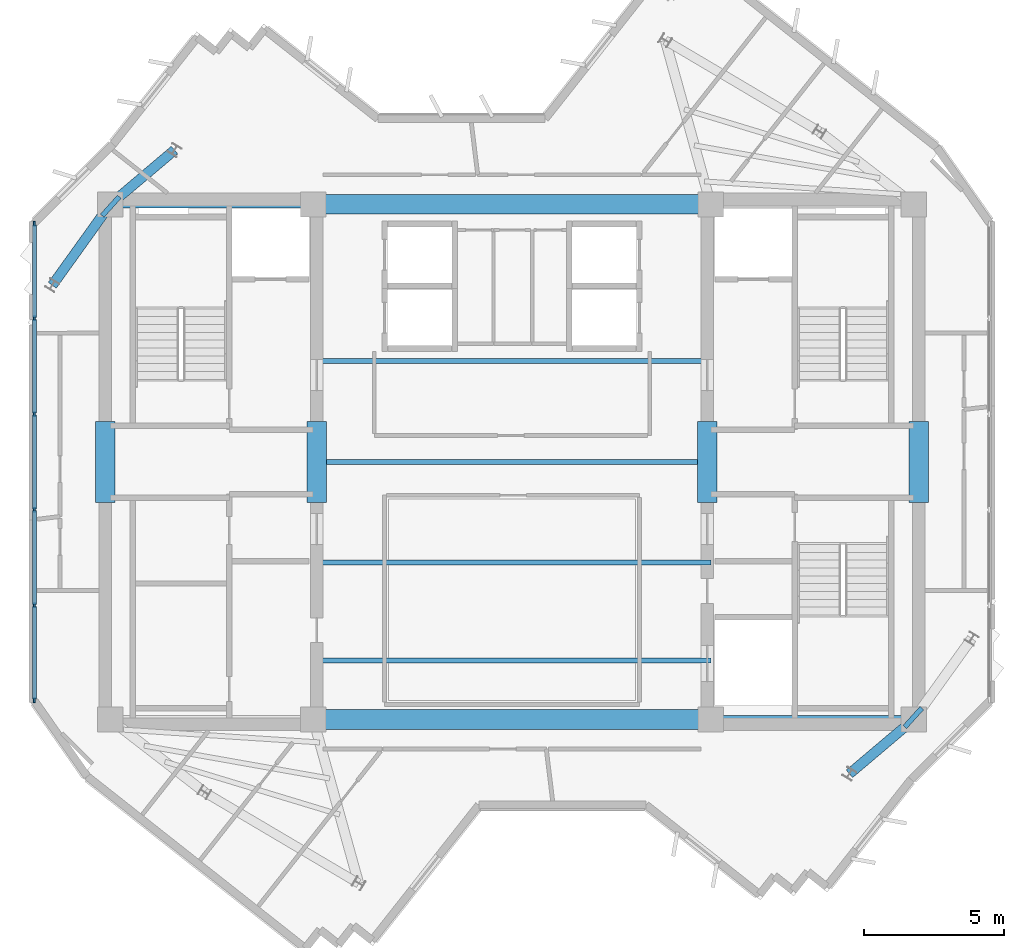
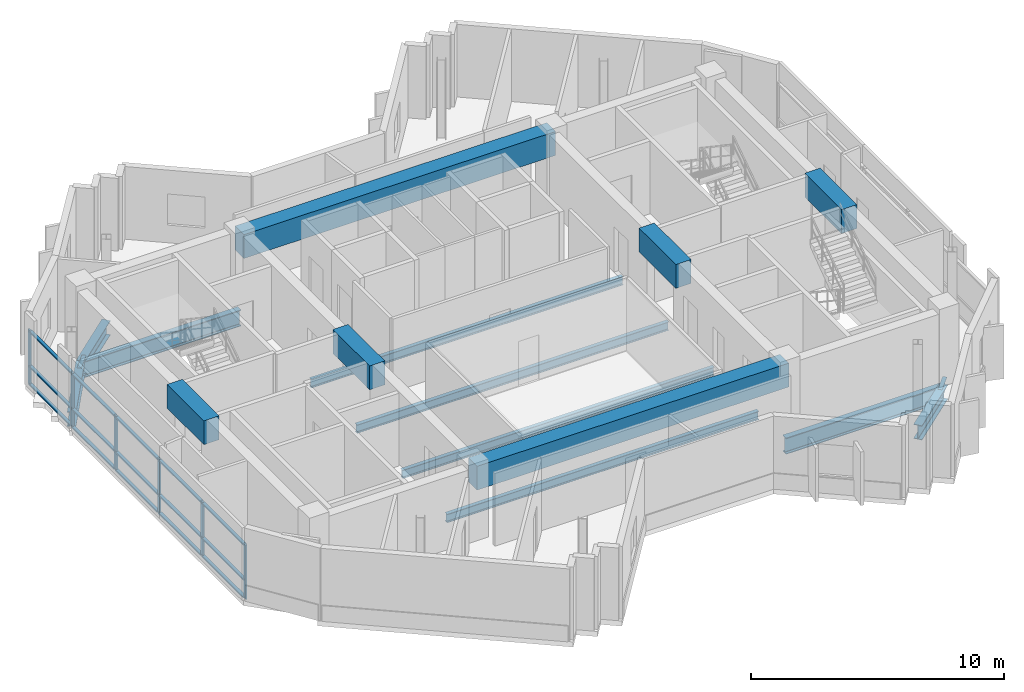
# One storey, part 2 of 10: 21 members, 17 beams, 1 element without a shape of its own.
"""IFC4 building model written with IfcOpenShell, lengths in metres."""

from ifc_helpers import new_model, si_unit, direction, frame, origin, origin_2d, place, context, subcontext, project, spatial, rectangle, i_section, extrude, source, transform, mapped, material, layer, layer_set, material_profile, profile_set, type_object, element, aggregate, save


model = new_model("IFC4")

# Units and contexts
model_context = context("Model", 3, precision=1e-05, world=origin(), true_north=direction((0.0, 1.0)))
body_context = subcontext(model_context, "Body", "Model", "MODEL_VIEW")
ifc_project = project(units=[si_unit("LENGTHUNIT", "METRE"), si_unit("AREAUNIT", "SQUARE_METRE"), si_unit("VOLUMEUNIT", "CUBIC_METRE"), si_unit("PLANEANGLEUNIT", "RADIAN"), si_unit("MASSUNIT", "GRAM", prefix="KILO")], contexts=[model_context])

# Site, building, storey
site_placement = place(None, origin())
site = spatial("IfcSite", under=ifc_project, at=site_placement, CompositionType="ELEMENT")
building_placement = place(site_placement, origin())
building = spatial("IfcBuilding", under=site, at=building_placement, Name="Zahravan Cultural Tower", CompositionType="ELEMENT")
storey_placement = place(building_placement, frame((0.0, 0.0, 327.300048828125)))
storey = spatial("IfcBuildingStorey", under=building, at=storey_placement, Name="L79", CompositionType="ELEMENT", Elevation=327.300048828125)

# Beams
ifc_material_1 = material(Name="Concrete C50/60", Category="concrete")
ifc_material_profile_1 = material_profile(ifc_material_1, rectangle(XDim=0.699951171875, YDim=1.14990234375, at=origin_2d()), Name="RC700X1150")
ifc_profile_set_1 = profile_set([ifc_material_profile_1], Name="Concrete C50/60")
beam_type_1 = type_object("IfcBeamType", Name="BM-LN-RC700X1150", PredefinedType="LINTEL", material=ifc_profile_set_1)
shared_shape_1 = source(origin(), body_context, "Body", "SweptSolid", [
    extrude(rectangle(XDim=0.699951171875, YDim=1.14990234375, at=origin_2d()), origin(), (0.0, 0.0, 1.0), 14.2001953125),
])
for number, where, z_axis, x_axis, name in (
    (1, (28.89990234375, 17.800048828125, 2.925048828125), (1.0, 0.0, 0.0), (0.0, 1.0, 0.0), "L79 Beam LN-L79-S"),
    (2, (28.89990234375, 36.199951171875, 2.925048828125), (1.0, 0.0, 0.0), (0.0, 1.0, 0.0), "L79 Beam LN-L79-N"),
):
    element("IfcBeam", number, at=place(storey_placement, frame(where, z_axis=z_axis, x_axis=x_axis)), inside=storey, type_object=beam_type_1, Name=name, PredefinedType="LINTEL", context=body_context, shape_type="MappedRepresentation", body=[
        mapped(shared_shape_1, transform((0.0, 0.0, 0.0), x_axis=(1.0, 0.0, 0.0), y_axis=(0.0, 1.0, 0.0), z_axis=(0.0, 0.0, 1.0), scale=1.0)),
    ])
shared_shape_2 = source(origin(), body_context, "Body", "SweptSolid", [
    extrude(rectangle(XDim=0.699951171875, YDim=1.14990234375, at=origin_2d()), origin(), (0.0, 0.0, 1.0), 2.89990234375),
])
for number, where, z_axis, x_axis, name in (
    (3, (21.47509765625, 25.550048828125, 2.925048828125), (0.0, 1.0, 0.0), (-1.0, 0.0, 0.0), "L79 Beam LN-L79-PWW"),
    (4, (29.02490234375, 25.550048828125, 2.925048828125), (0.0, 1.0, 0.0), (-1.0, 0.0, 0.0), "L79 Beam LN-L79-PWE"),
    (5, (42.97509765625, 25.550048828125, 2.925048828125), (0.0, 1.0, 0.0), (-1.0, 0.0, 0.0), "L79 Beam LN-L79-PEW"),
    (6, (50.52490234375, 25.550048828125, 2.925048828125), (0.0, 1.0, 0.0), (-1.0, 0.0, 0.0), "L79 Beam LN-L79-PEE"),
):
    element("IfcBeam", number, at=place(storey_placement, frame(where, z_axis=z_axis, x_axis=x_axis)), inside=storey, type_object=beam_type_1, Name=name, PredefinedType="LINTEL", context=body_context, shape_type="MappedRepresentation", body=[
        mapped(shared_shape_2, transform((0.0, 0.0, 0.0), x_axis=(1.0, 0.0, 0.0), y_axis=(0.0, 1.0, 0.0), z_axis=(0.0, 0.0, 1.0), scale=1.0)),
    ])
ifc_material_2 = material(Name="Steel ASTM A992 Grade 50", Category="steel")
ifc_material_profile_2 = material_profile(ifc_material_2, i_section(OverallWidth=0.26611328125, OverallDepth=0.780029296875, WebThickness=0.0166015625, FlangeThickness=0.030029296875, FilletRadius=0.01904296875, at=origin_2d()), Name="W30X148")
ifc_profile_set_2 = profile_set([ifc_material_profile_2], Name="Steel ASTM A992 Grade 50")
beam_type_2 = type_object("IfcBeamType", Name="BM-G-W30X148", PredefinedType="BEAM", material=ifc_profile_set_2)
shared_shape_3 = source(origin(), body_context, "Body", "SweptSolid", [
    extrude(i_section(OverallWidth=0.26611328125, OverallDepth=0.780029296875, WebThickness=0.0166015625, FlangeThickness=0.030029296875, FilletRadius=0.01904296875, at=origin_2d()), origin(), (0.0, 0.0, 1.0), 7.25),
])
for number, where, z_axis, x_axis, name in (
    (7, (21.64990234375, 36.199951171875, -0.64013671875), (1.0, 0.0, 0.0), (0.0, 1.0, 0.0), "L79 Beam BG-L79-02"),
    (8, (43.10009765625, 17.800048828125, -0.64013671875), (1.0, 0.0, 0.0), (0.0, 1.0, 0.0), "L79 Beam BG-L79-04"),
):
    element("IfcBeam", number, at=place(storey_placement, frame(where, z_axis=z_axis, x_axis=x_axis)), inside=storey, type_object=beam_type_2, Name=name, PredefinedType="BEAM", context=body_context, shape_type="MappedRepresentation", body=[
        mapped(shared_shape_3, transform((0.0, 0.0, 0.0), x_axis=(1.0, 0.0, 0.0), y_axis=(0.0, 1.0, 0.0), z_axis=(0.0, 0.0, 1.0), scale=1.0)),
    ])
ifc_material_profile_3 = material_profile(ifc_material_2, i_section(OverallWidth=0.35498046875, OverallDepth=0.696044921875, WebThickness=0.015380859375, FlangeThickness=0.025146484375, FilletRadius=0.01806640625, at=origin_2d()), Name="W27X146")
ifc_profile_set_3 = profile_set([ifc_material_profile_3], Name="Steel ASTM A992 Grade 50")
beam_type_3 = type_object("IfcBeamType", Name="BM-G-W27X146", PredefinedType="BEAM", material=ifc_profile_set_3)
shared_shape_4 = source(origin(), body_context, "Body", "SweptSolid", [
    extrude(i_section(OverallWidth=0.35498046875, OverallDepth=0.696044921875, WebThickness=0.015380859375, FlangeThickness=0.025146484375, FilletRadius=0.01806640625, at=origin_2d()), origin(), (0.0, 0.0, 1.0), 3.00537109375),
])
for number, where, z_axis, x_axis, name in (
    (9, (50.35009765625, 17.800048828125, -0.59814453125), (-0.763546494847, -0.645752855361, 0.0), (0.645752855361, -0.763546494847, 0.0), "L79 Beam BG-L79-09"),
    (10, (21.64990234375, 36.199951171875, -0.59814453125), (0.763546494847, 0.645752855361, 0.0), (-0.645752855361, 0.763546494847, 0.0), "L79 Beam BG-L79-13"),
):
    element("IfcBeam", number, at=place(storey_placement, frame(where, z_axis=z_axis, x_axis=x_axis)), inside=storey, type_object=beam_type_3, Name=name, PredefinedType="BEAM", context=body_context, shape_type="MappedRepresentation", body=[
        mapped(shared_shape_4, transform((0.0, 0.0, 0.0), x_axis=(1.0, 0.0, 0.0), y_axis=(0.0, 1.0, 0.0), z_axis=(0.0, 0.0, 1.0), scale=1.0)),
    ])
shared_shape_5 = source(origin(), body_context, "Body", "SweptSolid", [
    extrude(i_section(OverallWidth=0.35498046875, OverallDepth=0.696044921875, WebThickness=0.015380859375, FlangeThickness=0.025146484375, FilletRadius=0.01806640625, at=origin_2d()), origin(), (0.0, 0.0, 1.0), 3.5556640625),
])
beam_placement = place(storey_placement, frame((21.64990234375, 36.199951171875, -0.59814453125), z_axis=(-0.58288028137, -0.812558045674, 0.0), x_axis=(0.812558045674, -0.58288028137, 0.0)))
element("IfcBeam", 11, at=beam_placement, inside=storey, type_object=beam_type_3, Name="L79 Beam BG-L79-14", PredefinedType="BEAM", context=body_context, shape_type="MappedRepresentation", body=[
    mapped(shared_shape_5, transform((0.0, 0.0, 0.0), x_axis=(1.0, 0.0, 0.0), y_axis=(0.0, 1.0, 0.0), z_axis=(0.0, 0.0, 1.0), scale=1.0)),
])
ifc_material_profile_4 = material_profile(ifc_material_2, i_section(OverallWidth=0.177978515625, OverallDepth=0.406005859375, WebThickness=0.0078125, FlangeThickness=0.0126953125, FilletRadius=0.011962890625, at=origin_2d()), Name="W16X40")
ifc_profile_set_4 = profile_set([ifc_material_profile_4], Name="Steel ASTM A992 Grade 50")
beam_type_4 = type_object("IfcBeamType", Name="BM-J-W16X40", PredefinedType="JOIST", material=ifc_profile_set_4)
shared_shape_6 = source(origin(), body_context, "Body", "SweptSolid", [
    extrude(i_section(OverallWidth=0.177978515625, OverallDepth=0.406005859375, WebThickness=0.0078125, FlangeThickness=0.0126953125, FilletRadius=0.011962890625, at=origin_2d()), origin(), (0.0, 0.0, 1.0), 14.2001953125),
])
for number, where, z_axis, x_axis, name in (
    (12, (28.89990234375, 19.89990234375, -0.453125), (1.0, 0.0, 0.0), (0.0, 1.0, 0.0), "L79 Beam BJ-L79-20"),
    (13, (28.89990234375, 23.39990234375, -0.453125), (1.0, 0.0, 0.0), (0.0, 1.0, 0.0), "L79 Beam BJ-L79-21"),
    (14, (28.89990234375, 27.0, -0.453125), (1.0, 0.0, 0.0), (0.0, 1.0, 0.0), "L79 Beam BJ-L79-22"),
    (15, (28.89990234375, 30.60009765625, -0.453125), (1.0, 0.0, 0.0), (0.0, 1.0, 0.0), "L79 Beam BJ-L79-23"),
):
    element("IfcBeam", number, at=place(storey_placement, frame(where, z_axis=z_axis, x_axis=x_axis)), inside=storey, type_object=beam_type_4, Name=name, PredefinedType="JOIST", context=body_context, shape_type="MappedRepresentation", body=[
        mapped(shared_shape_6, transform((0.0, 0.0, 0.0), x_axis=(1.0, 0.0, 0.0), y_axis=(0.0, 1.0, 0.0), z_axis=(0.0, 0.0, 1.0), scale=1.0)),
    ])
shared_shape_7 = source(origin(), body_context, "Body", "SweptSolid", [
    extrude(i_section(OverallWidth=0.177978515625, OverallDepth=0.406005859375, WebThickness=0.0078125, FlangeThickness=0.0126953125, FilletRadius=0.011962890625, at=origin_2d()), origin(), (0.0, 0.0, 1.0), 0.91162109375),
])
for number, where, z_axis, x_axis, name in (
    (16, (50.02880859375, 17.5283203125, -0.453125), (0.670590689022, 0.741827559341, 0.0), (-0.741827559341, 0.670590689022, 0.0), "L79 Beam BJ-L79-32"),
    (17, (21.97119140625, 36.4716796875, -0.453125), (-0.670590689022, -0.741827559341, 0.0), (0.741827559341, -0.670590689022, 0.0), "L79 Beam BJ-L79-48"),
):
    element("IfcBeam", number, at=place(storey_placement, frame(where, z_axis=z_axis, x_axis=x_axis)), inside=storey, type_object=beam_type_4, Name=name, PredefinedType="JOIST", context=body_context, shape_type="MappedRepresentation", body=[
        mapped(shared_shape_7, transform((0.0, 0.0, 0.0), x_axis=(1.0, 0.0, 0.0), y_axis=(0.0, 1.0, 0.0), z_axis=(0.0, 0.0, 1.0), scale=1.0)),
    ])

# Curtain wall, members
ifc_material_3 = material(Name="Anodised bronze-aluminium mullion", Category="aluminium")
ifc_layer = layer(ifc_material_3, 0.179931640625)
ifc_layer_set = layer_set([ifc_layer], Name="Anodised bronze-aluminium mullion")
curtain_wall_type = type_object("IfcCurtainWallType", Name="CW-SYS-3", PredefinedType="USERDEFINED", material=ifc_layer_set)
curtain_wall_placement = place(storey_placement, origin())
curtain_wall = element("IfcCurtainWall", 18, at=curtain_wall_placement, inside=storey, type_object=curtain_wall_type, Name="L79 Recessed Curtain Wall CW-3.2", ObjectType="RECESSED GLAZING", PredefinedType="USERDEFINED")
ifc_material_profile_5 = material_profile(ifc_material_3, rectangle(XDim=0.070068359375, YDim=0.179931640625, at=origin_2d()), Name="AL-M70X180")
ifc_profile_set_5 = profile_set([ifc_material_profile_5], Name="Anodised bronze-aluminium mullion")
member_type_1 = type_object("IfcMemberType", Name="CWM-CW-3", PredefinedType="MULLION", material=ifc_profile_set_5)
shared_shape_8 = source(origin(), body_context, "Body", "SweptSolid", [
    extrude(rectangle(XDim=0.070068359375, YDim=0.179931640625, at=origin_2d()), origin(), (0.0, 0.0, 1.0), 2.619873046875),
])
member_1_placement = place(storey_placement, frame((18.93994140625, 18.492919921875, 0.0), z_axis=(0.0, 0.0, 1.0), x_axis=(-1.0, 0.0, 0.0)))
member_1 = element("IfcMember", 19, at=member_1_placement, type_object=member_type_1, Name="CW-3 mullion 1", PredefinedType="MULLION", context=body_context, shape_type="MappedRepresentation", body=[
    mapped(shared_shape_8, transform((0.0, 0.0, 0.0), x_axis=(1.0, 0.0, 0.0), y_axis=(0.0, 1.0, 0.0), z_axis=(0.0, 0.0, 1.0), scale=1.0)),
])
member_2_placement = place(storey_placement, frame((18.93994140625, 21.874755859375, 0.0), z_axis=(0.0, 0.0, 1.0), x_axis=(-1.0, 0.0, 0.0)))
member_2 = element("IfcMember", 20, at=member_2_placement, type_object=member_type_1, Name="CW-3 mullion 2", PredefinedType="MULLION", context=body_context, shape_type="MappedRepresentation", body=[
    mapped(shared_shape_8, transform((0.0, 0.0, 0.0), x_axis=(1.0, 0.0, 0.0), y_axis=(0.0, 1.0, 0.0), z_axis=(0.0, 0.0, 1.0), scale=1.0)),
])
member_3_placement = place(storey_placement, frame((18.93994140625, 25.29150390625, 0.0), z_axis=(0.0, 0.0, 1.0), x_axis=(-1.0, 0.0, 0.0)))
member_3 = element("IfcMember", 21, at=member_3_placement, type_object=member_type_1, Name="CW-3 mullion 3", PredefinedType="MULLION", context=body_context, shape_type="MappedRepresentation", body=[
    mapped(shared_shape_8, transform((0.0, 0.0, 0.0), x_axis=(1.0, 0.0, 0.0), y_axis=(0.0, 1.0, 0.0), z_axis=(0.0, 0.0, 1.0), scale=1.0)),
])
member_4_placement = place(storey_placement, frame((18.93994140625, 28.70849609375, 0.0), z_axis=(0.0, 0.0, 1.0), x_axis=(-1.0, 0.0, 0.0)))
member_4 = element("IfcMember", 22, at=member_4_placement, type_object=member_type_1, Name="CW-3 mullion 4", PredefinedType="MULLION", context=body_context, shape_type="MappedRepresentation", body=[
    mapped(shared_shape_8, transform((0.0, 0.0, 0.0), x_axis=(1.0, 0.0, 0.0), y_axis=(0.0, 1.0, 0.0), z_axis=(0.0, 0.0, 1.0), scale=1.0)),
])
member_5_placement = place(storey_placement, frame((18.93994140625, 32.125244140625, 0.0), z_axis=(0.0, 0.0, 1.0), x_axis=(-1.0, 0.0, 0.0)))
member_5 = element("IfcMember", 23, at=member_5_placement, type_object=member_type_1, Name="CW-3 mullion 5", PredefinedType="MULLION", context=body_context, shape_type="MappedRepresentation", body=[
    mapped(shared_shape_8, transform((0.0, 0.0, 0.0), x_axis=(1.0, 0.0, 0.0), y_axis=(0.0, 1.0, 0.0), z_axis=(0.0, 0.0, 1.0), scale=1.0)),
])
member_6_placement = place(storey_placement, frame((18.93994140625, 35.507080078125, 0.0), z_axis=(0.0, 0.0, 1.0), x_axis=(-1.0, 0.0, 0.0)))
member_6 = element("IfcMember", 24, at=member_6_placement, type_object=member_type_1, Name="CW-3 mullion 6", PredefinedType="MULLION", context=body_context, shape_type="MappedRepresentation", body=[
    mapped(shared_shape_8, transform((0.0, 0.0, 0.0), x_axis=(1.0, 0.0, 0.0), y_axis=(0.0, 1.0, 0.0), z_axis=(0.0, 0.0, 1.0), scale=1.0)),
])
ifc_material_profile_6 = material_profile(ifc_material_3, rectangle(XDim=0.139892578125, YDim=0.070068359375, at=origin_2d()), Name="AL-T70X140")
ifc_profile_set_6 = profile_set([ifc_material_profile_6], Name="Anodised bronze-aluminium mullion")
member_type_2 = type_object("IfcMemberType", Name="CWT-CW-3", PredefinedType="USERDEFINED", material=ifc_profile_set_6)
shared_shape_9 = source(origin(), body_context, "Body", "SweptSolid", [
    extrude(rectangle(XDim=0.139892578125, YDim=0.070068359375, at=origin_2d()), origin(), (0.0, 0.0, 1.0), 3.311767578125),
])
member_7_placement = place(storey_placement, frame((18.93994140625, 18.528076171875, 0.034912109375), z_axis=(0.0, 1.0, 0.0), x_axis=(-1.0, 0.0, 0.0)))
member_7 = element("IfcMember", 25, at=member_7_placement, type_object=member_type_2, Name="CW-3 transom 1.1", ObjectType="TRANSOM", PredefinedType="USERDEFINED", context=body_context, shape_type="MappedRepresentation", body=[
    mapped(shared_shape_9, transform((0.0, 0.0, 0.0), x_axis=(1.0, 0.0, 0.0), y_axis=(0.0, 1.0, 0.0), z_axis=(0.0, 0.0, 1.0), scale=1.0)),
])
member_8_placement = place(storey_placement, frame((18.93994140625, 18.528076171875, 0.89990234375), z_axis=(0.0, 1.0, 0.0), x_axis=(-1.0, 0.0, 0.0)))
member_8 = element("IfcMember", 26, at=member_8_placement, type_object=member_type_2, Name="CW-3 transom 1.2", ObjectType="TRANSOM", PredefinedType="USERDEFINED", context=body_context, shape_type="MappedRepresentation", body=[
    mapped(shared_shape_9, transform((0.0, 0.0, 0.0), x_axis=(1.0, 0.0, 0.0), y_axis=(0.0, 1.0, 0.0), z_axis=(0.0, 0.0, 1.0), scale=1.0)),
])
member_9_placement = place(storey_placement, frame((18.93994140625, 18.528076171875, 2.5849609375), z_axis=(0.0, 1.0, 0.0), x_axis=(-1.0, 0.0, 0.0)))
member_9 = element("IfcMember", 27, at=member_9_placement, type_object=member_type_2, Name="CW-3 transom 1.3", ObjectType="TRANSOM", PredefinedType="USERDEFINED", context=body_context, shape_type="MappedRepresentation", body=[
    mapped(shared_shape_9, transform((0.0, 0.0, 0.0), x_axis=(1.0, 0.0, 0.0), y_axis=(0.0, 1.0, 0.0), z_axis=(0.0, 0.0, 1.0), scale=1.0)),
])
member_10_placement = place(storey_placement, frame((18.93994140625, 32.16015625, 0.034912109375), z_axis=(0.0, 1.0, 0.0), x_axis=(-1.0, 0.0, 0.0)))
member_10 = element("IfcMember", 28, at=member_10_placement, type_object=member_type_2, Name="CW-3 transom 5.1", ObjectType="TRANSOM", PredefinedType="USERDEFINED", context=body_context, shape_type="MappedRepresentation", body=[
    mapped(shared_shape_9, transform((0.0, 0.0, 0.0), x_axis=(1.0, 0.0, 0.0), y_axis=(0.0, 1.0, 0.0), z_axis=(0.0, 0.0, 1.0), scale=1.0)),
])
member_11_placement = place(storey_placement, frame((18.93994140625, 32.16015625, 0.89990234375), z_axis=(0.0, 1.0, 0.0), x_axis=(-1.0, 0.0, 0.0)))
member_11 = element("IfcMember", 29, at=member_11_placement, type_object=member_type_2, Name="CW-3 transom 5.2", ObjectType="TRANSOM", PredefinedType="USERDEFINED", context=body_context, shape_type="MappedRepresentation", body=[
    mapped(shared_shape_9, transform((0.0, 0.0, 0.0), x_axis=(1.0, 0.0, 0.0), y_axis=(0.0, 1.0, 0.0), z_axis=(0.0, 0.0, 1.0), scale=1.0)),
])
member_12_placement = place(storey_placement, frame((18.93994140625, 32.16015625, 2.5849609375), z_axis=(0.0, 1.0, 0.0), x_axis=(-1.0, 0.0, 0.0)))
member_12 = element("IfcMember", 30, at=member_12_placement, type_object=member_type_2, Name="CW-3 transom 5.3", ObjectType="TRANSOM", PredefinedType="USERDEFINED", context=body_context, shape_type="MappedRepresentation", body=[
    mapped(shared_shape_9, transform((0.0, 0.0, 0.0), x_axis=(1.0, 0.0, 0.0), y_axis=(0.0, 1.0, 0.0), z_axis=(0.0, 0.0, 1.0), scale=1.0)),
])
shared_shape_10 = source(origin(), body_context, "Body", "SweptSolid", [
    extrude(rectangle(XDim=0.139892578125, YDim=0.070068359375, at=origin_2d()), origin(), (0.0, 0.0, 1.0), 3.3466796875),
])
member_13_placement = place(storey_placement, frame((18.93994140625, 21.909912109375, 0.034912109375), z_axis=(0.0, 1.0, 0.0), x_axis=(-1.0, 0.0, 0.0)))
member_13 = element("IfcMember", 31, at=member_13_placement, type_object=member_type_2, Name="CW-3 transom 2.1", ObjectType="TRANSOM", PredefinedType="USERDEFINED", context=body_context, shape_type="MappedRepresentation", body=[
    mapped(shared_shape_10, transform((0.0, 0.0, 0.0), x_axis=(1.0, 0.0, 0.0), y_axis=(0.0, 1.0, 0.0), z_axis=(0.0, 0.0, 1.0), scale=1.0)),
])
member_14_placement = place(storey_placement, frame((18.93994140625, 21.909912109375, 0.89990234375), z_axis=(0.0, 1.0, 0.0), x_axis=(-1.0, 0.0, 0.0)))
member_14 = element("IfcMember", 32, at=member_14_placement, type_object=member_type_2, Name="CW-3 transom 2.2", ObjectType="TRANSOM", PredefinedType="USERDEFINED", context=body_context, shape_type="MappedRepresentation", body=[
    mapped(shared_shape_10, transform((0.0, 0.0, 0.0), x_axis=(1.0, 0.0, 0.0), y_axis=(0.0, 1.0, 0.0), z_axis=(0.0, 0.0, 1.0), scale=1.0)),
])
member_15_placement = place(storey_placement, frame((18.93994140625, 21.909912109375, 2.5849609375), z_axis=(0.0, 1.0, 0.0), x_axis=(-1.0, 0.0, 0.0)))
member_15 = element("IfcMember", 33, at=member_15_placement, type_object=member_type_2, Name="CW-3 transom 2.3", ObjectType="TRANSOM", PredefinedType="USERDEFINED", context=body_context, shape_type="MappedRepresentation", body=[
    mapped(shared_shape_10, transform((0.0, 0.0, 0.0), x_axis=(1.0, 0.0, 0.0), y_axis=(0.0, 1.0, 0.0), z_axis=(0.0, 0.0, 1.0), scale=1.0)),
])
member_16_placement = place(storey_placement, frame((18.93994140625, 25.32666015625, 0.034912109375), z_axis=(0.0, 1.0, 0.0), x_axis=(-1.0, 0.0, 0.0)))
member_16 = element("IfcMember", 34, at=member_16_placement, type_object=member_type_2, Name="CW-3 transom 3.1", ObjectType="TRANSOM", PredefinedType="USERDEFINED", context=body_context, shape_type="MappedRepresentation", body=[
    mapped(shared_shape_10, transform((0.0, 0.0, 0.0), x_axis=(1.0, 0.0, 0.0), y_axis=(0.0, 1.0, 0.0), z_axis=(0.0, 0.0, 1.0), scale=1.0)),
])
member_17_placement = place(storey_placement, frame((18.93994140625, 25.32666015625, 0.89990234375), z_axis=(0.0, 1.0, 0.0), x_axis=(-1.0, 0.0, 0.0)))
member_17 = element("IfcMember", 35, at=member_17_placement, type_object=member_type_2, Name="CW-3 transom 3.2", ObjectType="TRANSOM", PredefinedType="USERDEFINED", context=body_context, shape_type="MappedRepresentation", body=[
    mapped(shared_shape_10, transform((0.0, 0.0, 0.0), x_axis=(1.0, 0.0, 0.0), y_axis=(0.0, 1.0, 0.0), z_axis=(0.0, 0.0, 1.0), scale=1.0)),
])
member_18_placement = place(storey_placement, frame((18.93994140625, 25.32666015625, 2.5849609375), z_axis=(0.0, 1.0, 0.0), x_axis=(-1.0, 0.0, 0.0)))
member_18 = element("IfcMember", 36, at=member_18_placement, type_object=member_type_2, Name="CW-3 transom 3.3", ObjectType="TRANSOM", PredefinedType="USERDEFINED", context=body_context, shape_type="MappedRepresentation", body=[
    mapped(shared_shape_10, transform((0.0, 0.0, 0.0), x_axis=(1.0, 0.0, 0.0), y_axis=(0.0, 1.0, 0.0), z_axis=(0.0, 0.0, 1.0), scale=1.0)),
])
member_19_placement = place(storey_placement, frame((18.93994140625, 28.743408203125, 0.034912109375), z_axis=(0.0, 1.0, 0.0), x_axis=(-1.0, 0.0, 0.0)))
member_19 = element("IfcMember", 37, at=member_19_placement, type_object=member_type_2, Name="CW-3 transom 4.1", ObjectType="TRANSOM", PredefinedType="USERDEFINED", context=body_context, shape_type="MappedRepresentation", body=[
    mapped(shared_shape_10, transform((0.0, 0.0, 0.0), x_axis=(1.0, 0.0, 0.0), y_axis=(0.0, 1.0, 0.0), z_axis=(0.0, 0.0, 1.0), scale=1.0)),
])
member_20_placement = place(storey_placement, frame((18.93994140625, 28.743408203125, 0.89990234375), z_axis=(0.0, 1.0, 0.0), x_axis=(-1.0, 0.0, 0.0)))
member_20 = element("IfcMember", 38, at=member_20_placement, type_object=member_type_2, Name="CW-3 transom 4.2", ObjectType="TRANSOM", PredefinedType="USERDEFINED", context=body_context, shape_type="MappedRepresentation", body=[
    mapped(shared_shape_10, transform((0.0, 0.0, 0.0), x_axis=(1.0, 0.0, 0.0), y_axis=(0.0, 1.0, 0.0), z_axis=(0.0, 0.0, 1.0), scale=1.0)),
])
member_21_placement = place(storey_placement, frame((18.93994140625, 28.743408203125, 2.5849609375), z_axis=(0.0, 1.0, 0.0), x_axis=(-1.0, 0.0, 0.0)))
member_21 = element("IfcMember", 39, at=member_21_placement, type_object=member_type_2, Name="CW-3 transom 4.3", ObjectType="TRANSOM", PredefinedType="USERDEFINED", context=body_context, shape_type="MappedRepresentation", body=[
    mapped(shared_shape_10, transform((0.0, 0.0, 0.0), x_axis=(1.0, 0.0, 0.0), y_axis=(0.0, 1.0, 0.0), z_axis=(0.0, 0.0, 1.0), scale=1.0)),
])
aggregate(curtain_wall, [member_1, member_2, member_3, member_4, member_5, member_6, member_7, member_8, member_9, member_13, member_14, member_15, member_16, member_17, member_18, member_19, member_20, member_21, member_10, member_11, member_12])

save(model, "model.ifc")
